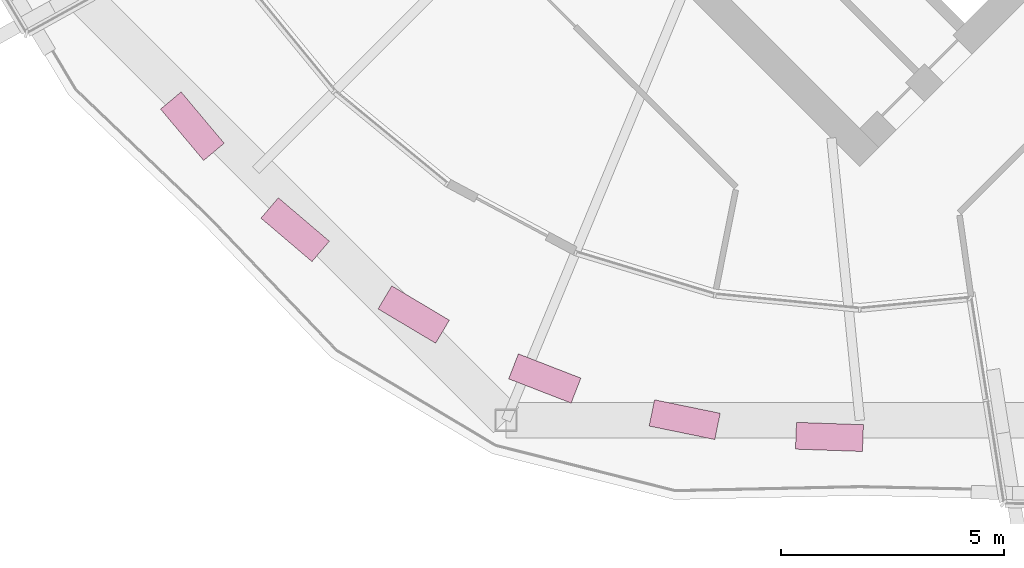
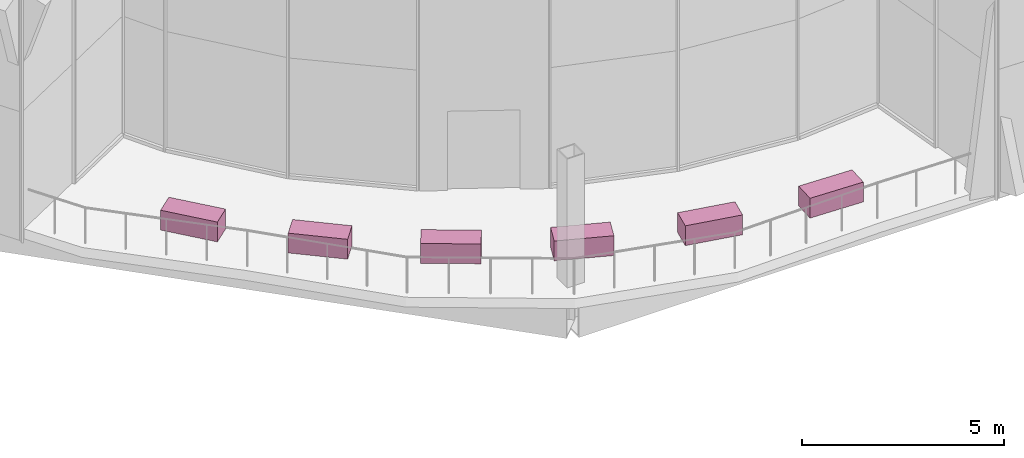
# One storey, part 26 of 26: 6 furniture elements.
"""IFC4 building model written with IfcOpenShell, lengths in metres."""

from ifc_helpers import new_model, si_unit, direction, frame, origin, origin_2d, place, context, subcontext, project, spatial, rectangle, extrude, material, type_object, element, save


model = new_model("IFC4")

# Units and contexts
model_context = context("Model", 3, precision=1e-05, world=origin(), true_north=direction((0.0, 1.0)))
body_context = subcontext(model_context, "Body", "Model", "MODEL_VIEW")
ifc_project = project(units=[si_unit("LENGTHUNIT", "METRE"), si_unit("AREAUNIT", "SQUARE_METRE"), si_unit("VOLUMEUNIT", "CUBIC_METRE"), si_unit("PLANEANGLEUNIT", "RADIAN"), si_unit("MASSUNIT", "GRAM", prefix="KILO")], contexts=[model_context])

# Site, building, storey
site_placement = place(None, origin())
site = spatial("IfcSite", under=ifc_project, at=site_placement, CompositionType="ELEMENT")
building_placement = place(site_placement, origin())
building = spatial("IfcBuilding", under=site, at=building_placement, Name="Ogive Gate Towers", CompositionType="ELEMENT")
storey_placement = place(building_placement, frame((0.0, 0.0, 208.5)))
storey = spatial("IfcBuildingStorey", under=building, at=storey_placement, Name="L50", CompositionType="ELEMENT", Elevation=208.5)

# Furniture
ifc_material = material(Name="Precast concrete C40/50", Category="concrete")
furniture_type = type_object("IfcFurnitureType", Name="Planter 1500 x 600", AssemblyPlace="NOTDEFINED", PredefinedType="USERDEFINED", material=ifc_material)
for number, where, z_axis, x_axis, name in (
    (1, (21.06201171875, -12.534423828125, 0.0), (0.0, 0.0, 1.0), (0.642787609687, -0.766044443119, 0.0), "Planter"),
    (2, (23.36181640625, -14.85009765625, 0.0), (0.0, 0.0, 1.0), (0.761538307537, -0.648119901063, 0.0), "Planter"),
    (3, (26.01513671875, -16.749755859375, 0.0), (0.0, 0.0, 1.0), (0.858959896931, -0.512042864871, 0.0), "Planter"),
    (4, (28.9482421875, -18.180419921875, 0.0), (0.0, 0.0, 1.0), (0.932323801216, -0.361624570082, 0.0), "Planter"),
    (5, (32.0791015625, -19.101806640625, 0.0), (0.0, 0.0, 1.0), (0.979575249599, -0.201077921146, 0.0), "Planter"),
    (6, (35.319580078125, -19.488037109375, 0.0), (0.0, 0.0, 1.0), (0.999390827019, -0.034899496703, 0.0), "Planter"),
):
    element("IfcFurniture", number, at=place(storey_placement, frame(where, z_axis=z_axis, x_axis=x_axis)), inside=storey, type_object=furniture_type, Name=name, ObjectType="PLANTER", PredefinedType="USERDEFINED", context=body_context, shape_type="SweptSolid", body=[
        extrude(rectangle(XDim=1.5, YDim=0.60009765625, at=origin_2d()), origin(), (0.0, 0.0, 1.0), 0.60009765625),
    ])

save(model, "model.ifc")
